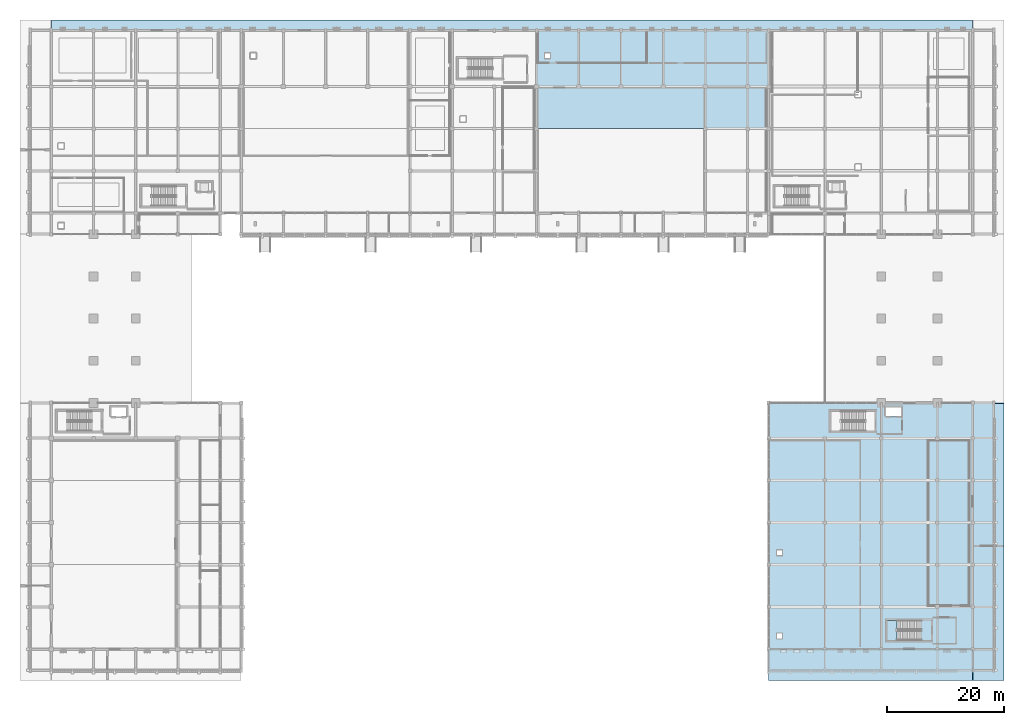
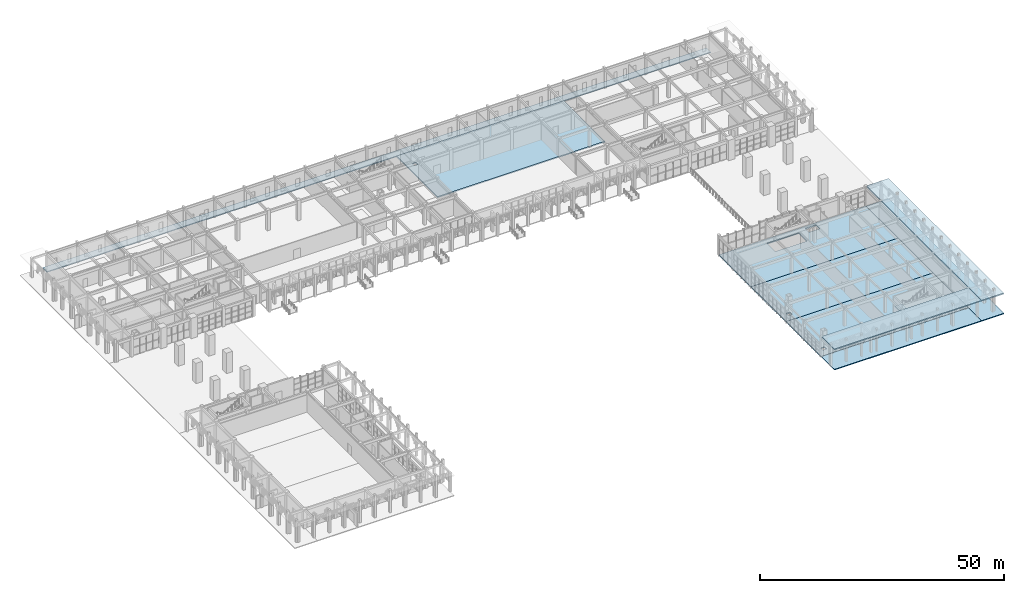
# One storey, part 32 of 72: 10 slabs, 1 element without a shape of its own.
"""IFC4 building model written with IfcOpenShell, lengths in metres."""

from ifc_helpers import new_model, si_unit, direction, frame, origin, place, context, subcontext, project, spatial, polyline, outline, extrude, material, layer, layer_set, type_object, element, aggregate, save


model = new_model("IFC4")

# Units and contexts
model_context = context("Model", 3, precision=1e-05, world=origin(), true_north=direction((0.0, 1.0)))
body_context = subcontext(model_context, "Body", "Model", "MODEL_VIEW")
ifc_project = project(units=[si_unit("LENGTHUNIT", "METRE"), si_unit("AREAUNIT", "SQUARE_METRE"), si_unit("VOLUMEUNIT", "CUBIC_METRE"), si_unit("PLANEANGLEUNIT", "RADIAN"), si_unit("MASSUNIT", "GRAM", prefix="KILO")], contexts=[model_context])

# Site, building, storey
site_placement = place(None, origin())
site = spatial("IfcSite", under=ifc_project, at=site_placement, CompositionType="ELEMENT")
building_placement = place(site_placement, origin())
building = spatial("IfcBuilding", under=site, at=building_placement, Name="Nzembalo Square Collegiate School", CompositionType="ELEMENT")
storey_placement = place(building_placement, origin())
storey = spatial("IfcBuildingStorey", under=building, at=storey_placement, Name="L00", CompositionType="ELEMENT", Elevation=0.0)

# Stair, slab
ifc_material_1 = material(Name="Precast concrete C40/50", Category="concrete")
stair_type = type_object("IfcStairType", Name="ST-30R", PredefinedType="HALF_TURN_STAIR", material=ifc_material_1)
stair_placement = place(storey_placement, origin())
stair = element("IfcStair", 1, at=stair_placement, inside=storey, type_object=stair_type, Name="Escape stair ST-24 (C6 L00)", PredefinedType="HALF_TURN_STAIR")
ifc_material_2 = material(Name="Precast concrete C40/50", Category="concrete")
ifc_layer_1 = layer(ifc_material_2, 0.199951171875, Name="Precast concrete C40/50")
ifc_layer_set_1 = layer_set([ifc_layer_1], Name="Precast concrete C40/50")
slab_type_1 = type_object("IfcSlabType", Name="SL-LDG", PredefinedType="LANDING", material=ifc_layer_set_1)
slab_1_placement = place(storey_placement, frame((0.0, 0.0, 2.35009765625)))
slab_1 = element("IfcSlab", 2, at=slab_1_placement, type_object=slab_type_1, Name="ST-24 landing 1", PredefinedType="LANDING", context=body_context, shape_type="SweptSolid", body=[
    extrude(outline(polyline([(152.699951171875, 13.300048828125), (151.0, 13.300048828125), (151.0, 9.89990234375), (152.699951171875, 9.89990234375), (152.699951171875, 13.300048828125)])), origin(), (0.0, 0.0, 1.0), 0.199951171875),
])
aggregate(stair, [slab_1])

# Slabs
ifc_material_3 = material(Name="CLT CL24", Category="wood")
ifc_layer_2 = layer(ifc_material_3, 0.27001953125, Name="CLT CL24")
ifc_layer_set_2 = layer_set([ifc_layer_2], Name="CLT CL24")
slab_type_2 = type_object("IfcSlabType", Name="RS-F27", PredefinedType="ROOF", material=ifc_layer_set_2)
slab_2_placement = place(storey_placement, frame((0.0, 0.0, 4.800048828125)))
element("IfcSlab", 3, at=slab_2_placement, inside=storey, type_object=slab_type_2, Name="Step roof slab RS-ARC-SE", PredefinedType="ROOF", context=body_context, shape_type="SweptSolid", body=[
    extrude(outline(polyline([(130.800048828125, 3.06005859375), (165.60009765625, 3.06005859375), (165.60009765625, 8.340087890625), (130.800048828125, 8.340087890625), (130.800048828125, 3.06005859375)])), origin(), (0.0, 0.0, 1.0), 0.27001953125),
])
slab_3_placement = place(storey_placement, frame((0.0, 0.0, 4.800048828125)))
element("IfcSlab", 4, at=slab_3_placement, inside=storey, type_object=slab_type_2, Name="Step roof slab RS-ARC-ES", PredefinedType="ROOF", context=body_context, shape_type="SweptSolid", body=[
    extrude(outline(polyline([(165.659912109375, 3.06005859375), (170.93994140625, 3.06005859375), (170.93994140625, 50.340087890625), (165.659912109375, 50.340087890625), (165.659912109375, 3.06005859375)])), origin(), (0.0, 0.0, 1.0), 0.27001953125),
])
ifc_material_4 = material(Name="Concrete C35/45", Category="concrete")
ifc_layer_3 = layer(ifc_material_4, 0.219970703125, Name="Concrete C35/45")
ifc_layer_set_3 = layer_set([ifc_layer_3], Name="Concrete C35/45")
slab_type_3 = type_object("IfcSlabType", Name="SL-00E", PredefinedType="FLOOR", material=ifc_layer_set_3)
slab_4_placement = place(storey_placement, frame((0.0, 0.0, -0.219970703125)))
element("IfcSlab", 5, at=slab_4_placement, inside=storey, type_object=slab_type_3, Name="Slab SL-L00-29", PredefinedType="FLOOR", context=body_context, shape_type="SweptSolid", body=[
    extrude(outline(polyline([(130.800048828125, 3.050048828125), (165.60009765625, 3.050048828125), (165.60009765625, 8.39990234375), (130.800048828125, 8.39990234375), (130.800048828125, 3.050048828125)])), origin(), (0.0, 0.0, 1.0), 0.219970703125),
])
slab_5_placement = place(storey_placement, frame((0.0, 0.0, -0.219970703125)))
element("IfcSlab", 6, at=slab_5_placement, inside=storey, type_object=slab_type_3, Name="Slab SL-L00-30", PredefinedType="FLOOR", context=body_context, shape_type="SweptSolid", body=[
    extrude(outline(polyline([(165.60009765625, 3.050048828125), (170.949951171875, 3.050048828125), (170.949951171875, 50.39990234375), (165.60009765625, 50.39990234375), (165.60009765625, 3.050048828125)])), origin(), (0.0, 0.0, 1.0), 0.219970703125),
])
slab_6_placement = place(storey_placement, frame((0.0, 0.0, -0.219970703125)))
element("IfcSlab", 7, at=slab_6_placement, inside=storey, type_object=slab_type_3, Name="Slab SL-L00-32", PredefinedType="FLOOR", context=body_context, shape_type="SweptSolid", body=[
    extrude(outline(polyline([(8.39990234375, 114.0), (165.60009765625, 114.0), (165.60009765625, 115.75), (8.39990234375, 115.75), (8.39990234375, 114.0)])), origin(), (0.0, 0.0, 1.0), 0.219970703125),
])
ifc_material_5 = material(Name="Concrete C35/45", Category="concrete")
ifc_layer_4 = layer(ifc_material_5, 0.280029296875, Name="Concrete C35/45")
ifc_layer_set_4 = layer_set([ifc_layer_4], Name="Concrete C35/45")
slab_type_4 = type_object("IfcSlabType", Name="SL-00", PredefinedType="FLOOR", material=ifc_layer_set_4)
slab_7_placement = place(storey_placement, frame((0.0, 0.0, -0.280029296875)))
element("IfcSlab", 8, at=slab_7_placement, inside=storey, type_object=slab_type_4, Name="Slab SL-L00-15", PredefinedType="FLOOR", context=body_context, shape_type="SweptSolid", body=[
    extrude(outline(polyline([(91.199951171875, 97.199951171875), (130.800048828125, 97.199951171875), (130.800048828125, 114.0), (91.199951171875, 114.0), (91.199951171875, 97.199951171875)]), holes=[polyline([(92.60009765625, 109.199951171875), (93.5, 109.199951171875), (93.5, 110.10009765625), (92.60009765625, 110.10009765625), (92.60009765625, 109.199951171875)])]), origin(), (0.0, 0.0, 1.0), 0.280029296875),
])
slab_8_placement = place(storey_placement, frame((0.0, 0.0, -0.280029296875)))
element("IfcSlab", 9, at=slab_8_placement, inside=storey, type_object=slab_type_4, Name="Slab SL-L00-19", PredefinedType="FLOOR", context=body_context, shape_type="SweptSolid", body=[
    extrude(outline(polyline([(130.800048828125, 8.39990234375), (165.60009765625, 8.39990234375), (165.60009765625, 22.800048828125), (130.800048828125, 22.800048828125), (130.800048828125, 8.39990234375)]), holes=[polyline([(132.199951171875, 10.199951171875), (133.10009765625, 10.199951171875), (133.10009765625, 11.10009765625), (132.199951171875, 11.10009765625), (132.199951171875, 10.199951171875)])]), origin(), (0.0, 0.0, 1.0), 0.280029296875),
])
slab_9_placement = place(storey_placement, frame((0.0, 0.0, -0.280029296875)))
element("IfcSlab", 10, at=slab_9_placement, inside=storey, type_object=slab_type_4, Name="Slab SL-L00-20", PredefinedType="FLOOR", context=body_context, shape_type="SweptSolid", body=[
    extrude(outline(polyline([(130.800048828125, 22.800048828125), (165.60009765625, 22.800048828125), (165.60009765625, 37.199951171875), (130.800048828125, 37.199951171875), (130.800048828125, 22.800048828125)]), holes=[polyline([(132.199951171875, 24.39990234375), (133.10009765625, 24.39990234375), (133.10009765625, 25.300048828125), (132.199951171875, 25.300048828125), (132.199951171875, 24.39990234375)])]), origin(), (0.0, 0.0, 1.0), 0.280029296875),
])
slab_10_placement = place(storey_placement, frame((0.0, 0.0, -0.280029296875)))
element("IfcSlab", 11, at=slab_10_placement, inside=storey, type_object=slab_type_4, Name="Slab SL-L00-21", PredefinedType="FLOOR", context=body_context, shape_type="SweptSolid", body=[
    extrude(outline(polyline([(130.800048828125, 37.199951171875), (165.60009765625, 37.199951171875), (165.60009765625, 50.39990234375), (130.800048828125, 50.39990234375), (130.800048828125, 37.199951171875)]), holes=[polyline([(150.800048828125, 48.10009765625), (153.39990234375, 48.10009765625), (153.39990234375, 49.699951171875), (150.800048828125, 49.699951171875), (150.800048828125, 48.10009765625)]), polyline([(148.89990234375, 49.0), (141.39990234375, 49.0), (141.39990234375, 45.60009765625), (148.89990234375, 45.60009765625), (148.89990234375, 49.0)])]), origin(), (0.0, 0.0, 1.0), 0.280029296875),
])

save(model, "model.ifc")
